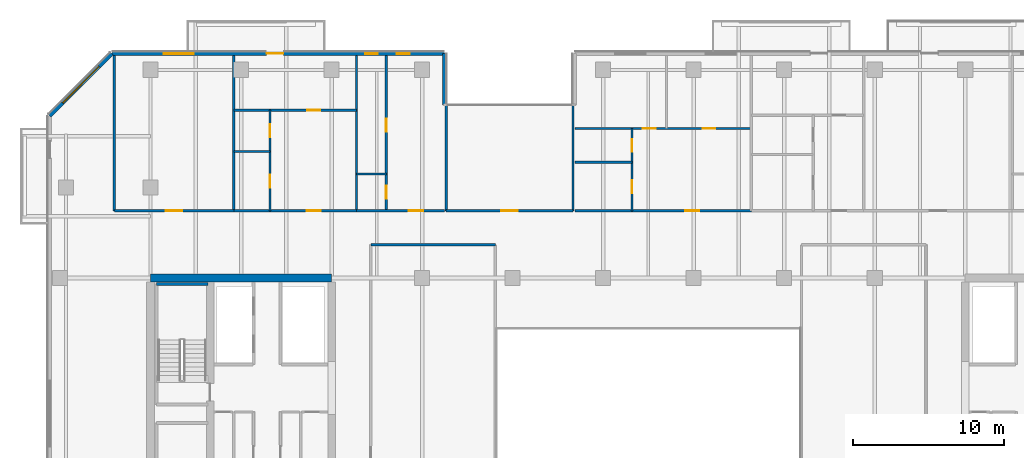
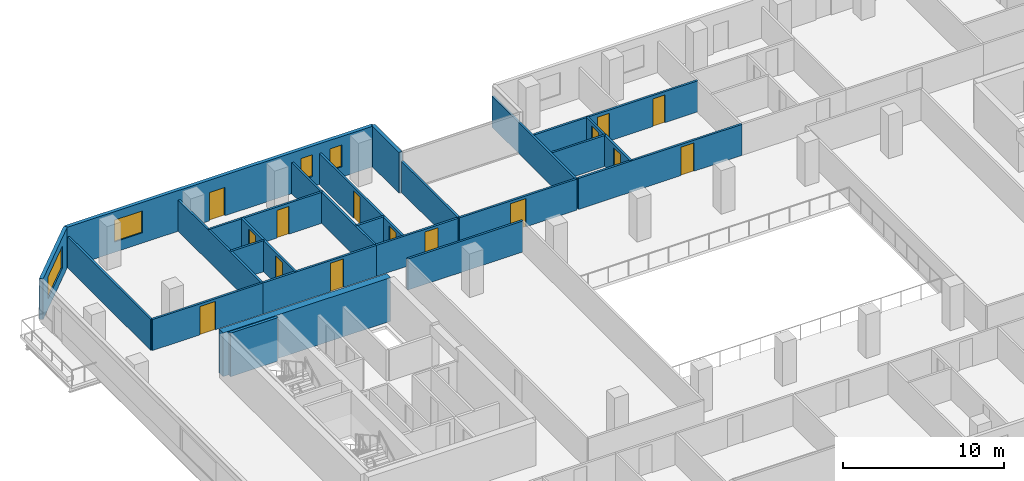
# One storey, part 13 of 23: 24 walls, 15 doors, 4 windows, 19 openings.
"""IFC4 building model written with IfcOpenShell, lengths in metres."""

from ifc_helpers import new_model, si_unit, direction, frame, frame_2d, origin, place, context, subcontext, project, spatial, rectangle, extrude, material, layer, layer_set, type_object, element, fill, save


model = new_model("IFC4")

# Units and contexts
model_context = context("Model", 3, precision=1e-05, world=origin(), true_north=direction((0.0, 1.0)))
body_context = subcontext(model_context, "Body", "Model", "MODEL_VIEW")
ifc_project = project(units=[si_unit("LENGTHUNIT", "METRE"), si_unit("AREAUNIT", "SQUARE_METRE"), si_unit("VOLUMEUNIT", "CUBIC_METRE"), si_unit("PLANEANGLEUNIT", "RADIAN"), si_unit("MASSUNIT", "GRAM", prefix="KILO")], contexts=[model_context])

# Site, building, storey
site_placement = place(None, origin())
site = spatial("IfcSite", under=ifc_project, at=site_placement, CompositionType="ELEMENT")
building_placement = place(site_placement, origin())
building = spatial("IfcBuilding", under=site, at=building_placement, Name="Tanjung Sevakor Pilgrim Tower", CompositionType="ELEMENT")
storey_placement = place(building_placement, frame((0.0, 0.0, 88.77001953125)))
storey = spatial("IfcBuildingStorey", under=building, at=storey_placement, Name="L24", CompositionType="ELEMENT", Elevation=88.77001953125)

# Walls
ifc_material_1 = material(Name="Concrete C60/75", Category="concrete")
ifc_layer_1 = layer(ifc_material_1, 0.5)
ifc_layer_set_1 = layer_set([ifc_layer_1], Name="WALL-CW-500")
wall_type_1 = type_object("IfcWallType", Name="WALL-CW-500", PredefinedType="SHEAR", material=ifc_layer_set_1)
wall_1_placement = place(storey_placement, frame((36.0, 42.60009765625, 0.0), z_axis=(0.0, 0.0, 1.0), x_axis=(-1.0, 0.0, 0.0)))
element("IfcWall", 1, at=wall_1_placement, inside=storey, type_object=wall_type_1, Name="L24 W Core North Shear Wall", PredefinedType="SHEAR", context=body_context, shape_type="SweptSolid", body=[
    extrude(rectangle(XDim=12.0, YDim=0.5, at=frame_2d((6.0, 0.0))), origin(), (0.0, 0.0, 1.0), 3.300048828125),
])
ifc_material_2 = material(Name="Concrete C40/50", Category="concrete")
ifc_layer_2 = layer(ifc_material_2, 0.14990234375)
ifc_layer_set_2 = layer_set([ifc_layer_2], Name="WT-COMP-150")
wall_type_2 = type_object("IfcWallType", Name="WT-COMP-150", PredefinedType="SOLIDWALL", material=ifc_layer_set_2)
wall_2_placement = place(storey_placement, frame((38.60009765625, 44.800048828125, 0.0), z_axis=(0.0, 0.0, 1.0), x_axis=(1.0, 0.0, 0.0)))
element("IfcWall", 2, at=wall_2_placement, inside=storey, type_object=wall_type_2, Name="L24 Partition IW-L24-030", PredefinedType="SOLIDWALL", context=body_context, shape_type="SweptSolid", body=[
    extrude(rectangle(XDim=8.25, YDim=0.14990234375, at=frame_2d((4.125, 0.0))), origin(), (0.0, 0.0, 1.0), 2.35009765625),
])

# Wall, opening, door
wall_3_placement = place(storey_placement, frame((43.60009765625, 47.050048828125, 0.0), z_axis=(0.0, 0.0, 1.0), x_axis=(1.0, 0.0, 0.0)))
wall_3 = element("IfcWall", 3, at=wall_3_placement, inside=storey, type_object=wall_type_2, Name="L24 Partition IW-L24-048", PredefinedType="SOLIDWALL", context=body_context, shape_type="SweptSolid", body=[
    extrude(rectangle(XDim=8.39990234375, YDim=0.14990234375, at=frame_2d((4.199951171875, 0.0))), origin(), (0.0, 0.0, 1.0), 2.35009765625),
])
opening_1_placement = place(wall_3_placement, frame((3.64990234375, 0.0, 0.0)))
opening_1 = element("IfcOpeningElement", 4, at=opening_1_placement, cuts=wall_3, Name="Opening ID-RM2", PredefinedType="OPENING", context=body_context, shape_type="SweptSolid", body=[
    extrude(rectangle(XDim=1.10009765625, YDim=2.14990234375, at=frame_2d((0.550048828125, 1.074951171875))), frame((0.0, 0.0849609375, 0.0), z_axis=(0.0, -1.0, 0.0), x_axis=(1.0, 0.0, 0.0)), (0.0, 0.0, 1.0), 0.169921875),
])
ifc_material_3 = material(Name="Hardwood Timber", Category="wood")
door_type_1 = type_object("IfcDoorType", Name="DT-INT-1100", OperationType="NOTDEFINED", PredefinedType="DOOR", material=ifc_material_3)
door_1_placement = place(opening_1_placement, origin())
door_1 = element("IfcDoor", 5, at=door_1_placement, inside=storey, type_object=door_type_1, Name="L24 North Cleft Seminar Room Door", OperationType="SINGLE_SWING_RIGHT", OverallHeight=2.14990234375, OverallWidth=1.10009765625, PredefinedType="DOOR", context=body_context, shape_type="SweptSolid", body=[
    extrude(rectangle(XDim=1.10009765625, YDim=2.14990234375, at=frame_2d((0.550048828125, 1.074951171875))), frame((0.0, 0.02490234375, 0.0), z_axis=(0.0, -1.0, 0.0), x_axis=(1.0, 0.0, 0.0)), (0.0, 0.0, 1.0), 0.050048828125),
])
fill(opening_1, door_1)

# Walls
for number, where, z_axis, x_axis, name in (
    (6, (43.60009765625, 47.050048828125, 0.0), (0.0, 0.0, 1.0), (0.0, 1.0, 0.0), "L24 Partition IW-L24-049"),
    (7, (52.0, 47.050048828125, 0.0), (0.0, 0.0, 1.0), (0.0, 1.0, 0.0), "L24 Partition IW-L24-050"),
    (8, (21.60009765625, 47.050048828125, 0.0), (0.0, 0.0, 1.0), (0.0, 1.0, 0.0), "L24 Partition IW-L24-083"),
    (9, (29.5185546875, 47.050048828125, 0.0), (0.0, 0.0, 1.0), (0.0, 1.0, 0.0), "L24 Partition IW-L24-084"),
):
    element("IfcWall", number, at=place(storey_placement, frame(where, z_axis=z_axis, x_axis=x_axis)), inside=storey, type_object=wall_type_2, Name=name, PredefinedType="SOLIDWALL", context=body_context, shape_type="SweptSolid", body=[
        extrude(rectangle(XDim=10.300048828125, YDim=0.14990234375, at=frame_2d((5.14990234375, 0.0))), origin(), (0.0, 0.0, 1.0), 2.35009765625),
    ])

# Wall, opening, door
wall_4_placement = place(storey_placement, frame((21.60009765625, 47.050048828125, 0.0), z_axis=(0.0, 0.0, 1.0), x_axis=(1.0, 0.0, 0.0)))
wall_4 = element("IfcWall", 10, at=wall_4_placement, inside=storey, type_object=wall_type_2, Name="L24 Partition IW-L24-085", PredefinedType="SOLIDWALL", context=body_context, shape_type="SweptSolid", body=[
    extrude(rectangle(XDim=7.91845703125, YDim=0.14990234375, at=frame_2d((3.959228515625, 0.0))), origin(), (0.0, 0.0, 1.0), 2.35009765625),
])
opening_2_placement = place(wall_4_placement, frame((3.4091796875, 0.0, 0.0)))
opening_2 = element("IfcOpeningElement", 11, at=opening_2_placement, cuts=wall_4, Name="Opening ID-FD0", PredefinedType="OPENING", context=body_context, shape_type="SweptSolid", body=[
    extrude(rectangle(XDim=1.10009765625, YDim=2.14990234375, at=frame_2d((0.550048828125, 1.074951171875))), frame((0.0, 0.0849609375, 0.0), z_axis=(0.0, -1.0, 0.0), x_axis=(1.0, 0.0, 0.0)), (0.0, 0.0, 1.0), 0.169921875),
])
ifc_material_4 = material(Name="Fire-Rated Steel S355J2", Category="steel")
door_type_2 = type_object("IfcDoorType", Name="DT-FIRE-1100", OperationType="NOTDEFINED", PredefinedType="DOOR", material=ifc_material_4)
door_2_placement = place(opening_2_placement, origin())
door_2 = element("IfcDoor", 12, at=door_2_placement, inside=storey, type_object=door_type_2, Name="Communal Lounge Door", OperationType="SINGLE_SWING_RIGHT", OverallHeight=2.14990234375, OverallWidth=1.10009765625, PredefinedType="DOOR", context=body_context, shape_type="SweptSolid", body=[
    extrude(rectangle(XDim=1.10009765625, YDim=2.14990234375, at=frame_2d((0.550048828125, 1.074951171875))), frame((0.0, 0.02490234375, 0.0), z_axis=(0.0, -1.0, 0.0), x_axis=(1.0, 0.0, 0.0)), (0.0, 0.0, 1.0), 0.050048828125),
])
fill(opening_2, door_2)

# Wall
wall_5_placement = place(storey_placement, frame((37.6455078125, 47.050048828125, 0.0), z_axis=(0.0, 0.0, 1.0), x_axis=(0.0, 1.0, 0.0)))
element("IfcWall", 13, at=wall_5_placement, inside=storey, type_object=wall_type_2, Name="L24 Partition IW-L24-086", PredefinedType="SOLIDWALL", context=body_context, shape_type="SweptSolid", body=[
    extrude(rectangle(XDim=10.300048828125, YDim=0.14990234375, at=frame_2d((5.14990234375, 0.0))), origin(), (0.0, 0.0, 1.0), 2.35009765625),
])

# Wall, opening, door
wall_6_placement = place(storey_placement, frame((29.5185546875, 47.050048828125, 0.0), z_axis=(0.0, 0.0, 1.0), x_axis=(1.0, 0.0, 0.0)))
wall_6 = element("IfcWall", 14, at=wall_6_placement, inside=storey, type_object=wall_type_2, Name="L24 Partition IW-L24-090", PredefinedType="SOLIDWALL", context=body_context, shape_type="SweptSolid", body=[
    extrude(rectangle(XDim=8.126953125, YDim=0.14990234375, at=frame_2d((4.0634765625, 0.0))), origin(), (0.0, 0.0, 1.0), 2.35009765625),
])
opening_3_placement = place(wall_6_placement, frame((4.8291015625, 0.0, 0.0)))
opening_3 = element("IfcOpeningElement", 15, at=opening_3_placement, cuts=wall_6, Name="Opening ID-FD2", PredefinedType="OPENING", context=body_context, shape_type="SweptSolid", body=[
    extrude(rectangle(XDim=0.949951171875, YDim=2.14990234375, at=frame_2d((0.47509765625, 1.074951171875))), frame((0.0, 0.0849609375, 0.0), z_axis=(0.0, -1.0, 0.0), x_axis=(1.0, 0.0, 0.0)), (0.0, 0.0, 1.0), 0.169921875),
])
ifc_material_5 = material(Name="Fire-Rated Timber", Category="wood")
door_type_3 = type_object("IfcDoorType", Name="DT-FIRE-950", OperationType="NOTDEFINED", PredefinedType="DOOR", material=ifc_material_5)
door_3_placement = place(opening_3_placement, origin())
door_3 = element("IfcDoor", 16, at=door_3_placement, inside=storey, type_object=door_type_3, Name="Residence Entrance", OperationType="SINGLE_SWING_RIGHT", OverallHeight=2.14990234375, OverallWidth=0.949951171875, PredefinedType="DOOR", context=body_context, shape_type="SweptSolid", body=[
    extrude(rectangle(XDim=0.949951171875, YDim=2.14990234375, at=frame_2d((0.47509765625, 1.074951171875))), frame((0.0, 0.02490234375, 0.0), z_axis=(0.0, -1.0, 0.0), x_axis=(1.0, 0.0, 0.0)), (0.0, 0.0, 1.0), 0.050048828125),
])
fill(opening_3, door_3)

wall_7_placement = place(storey_placement, frame((37.6455078125, 47.050048828125, 0.0), z_axis=(0.0, 0.0, 1.0), x_axis=(1.0, 0.0, 0.0)))
wall_7 = element("IfcWall", 17, at=wall_7_placement, inside=storey, type_object=wall_type_2, Name="L24 Partition IW-L24-093", PredefinedType="SOLIDWALL", context=body_context, shape_type="SweptSolid", body=[
    extrude(rectangle(XDim=5.83447265625, YDim=0.14990234375, at=frame_2d((2.917236328125, 0.0))), origin(), (0.0, 0.0, 1.0), 2.35009765625),
])
opening_4_placement = place(wall_7_placement, frame((3.47412109375, 0.0, 0.0)))
opening_4 = element("IfcOpeningElement", 18, at=opening_4_placement, cuts=wall_7, Name="Opening ID-FD2", PredefinedType="OPENING", context=body_context, shape_type="SweptSolid", body=[
    extrude(rectangle(XDim=0.949951171875, YDim=2.14990234375, at=frame_2d((0.47509765625, 1.074951171875))), frame((0.0, 0.0849609375, 0.0), z_axis=(0.0, -1.0, 0.0), x_axis=(1.0, 0.0, 0.0)), (0.0, 0.0, 1.0), 0.169921875),
])
door_4_placement = place(opening_4_placement, origin())
door_4 = element("IfcDoor", 19, at=door_4_placement, inside=storey, type_object=door_type_3, Name="Hostel Quad Entrance", OperationType="SINGLE_SWING_LEFT", OverallHeight=2.14990234375, OverallWidth=0.949951171875, PredefinedType="DOOR", context=body_context, shape_type="SweptSolid", body=[
    extrude(rectangle(XDim=0.949951171875, YDim=2.14990234375, at=frame_2d((0.47509765625, 1.074951171875))), frame((0.0, 0.02490234375, 0.0), z_axis=(0.0, -1.0, 0.0), x_axis=(1.0, 0.0, 0.0)), (0.0, 0.0, 1.0), 0.050048828125),
])
fill(opening_4, door_4)

wall_8_placement = place(storey_placement, frame((52.1201171875, 47.050048828125, 0.0), z_axis=(0.0, 0.0, 1.0), x_axis=(1.0, 0.0, 0.0)))
wall_8 = element("IfcWall", 20, at=wall_8_placement, inside=storey, type_object=wall_type_2, Name="L24 Partition IW-L24-100", PredefinedType="SOLIDWALL", context=body_context, shape_type="SweptSolid", body=[
    extrude(rectangle(XDim=11.701171875, YDim=0.14990234375, at=frame_2d((5.8505859375, 0.0))), origin(), (0.0, 0.0, 1.0), 2.35009765625),
])
opening_5_placement = place(wall_8_placement, frame((7.315673828125, 0.0, 0.0)))
opening_5 = element("IfcOpeningElement", 21, at=opening_5_placement, cuts=wall_8, Name="Opening ID-FD2", PredefinedType="OPENING", context=body_context, shape_type="SweptSolid", body=[
    extrude(rectangle(XDim=0.949951171875, YDim=2.14990234375, at=frame_2d((0.47509765625, 1.074951171875))), frame((0.0, 0.0849609375, 0.0), z_axis=(0.0, -1.0, 0.0), x_axis=(1.0, 0.0, 0.0)), (0.0, 0.0, 1.0), 0.169921875),
])
door_5_placement = place(opening_5_placement, origin())
door_5 = element("IfcDoor", 22, at=door_5_placement, inside=storey, type_object=door_type_3, Name="Suite Entrance", OperationType="SINGLE_SWING_RIGHT", OverallHeight=2.14990234375, OverallWidth=0.949951171875, PredefinedType="DOOR", context=body_context, shape_type="SweptSolid", body=[
    extrude(rectangle(XDim=0.949951171875, YDim=2.14990234375, at=frame_2d((0.47509765625, 1.074951171875))), frame((0.0, 0.02490234375, 0.0), z_axis=(0.0, -1.0, 0.0), x_axis=(1.0, 0.0, 0.0)), (0.0, 0.0, 1.0), 0.050048828125),
])
fill(opening_5, door_5)

# Wall
ifc_material_6 = material(Name="Precast concrete C45/55", Category="concrete")
ifc_layer_3 = layer(ifc_material_6, 0.25)
ifc_layer_set_3 = layer_set([ifc_layer_3], Name="WT-EW-STN3")
wall_type_3 = type_object("IfcWallType", Name="WT-EW-STN3", PredefinedType="SOLIDWALL", material=ifc_layer_set_3)
wall_9_placement = place(storey_placement, frame((43.47509765625, 54.074951171875, 0.0), z_axis=(0.0, 0.0, 1.0), x_axis=(0.0, 1.0, 0.0)))
element("IfcWall", 23, at=wall_9_placement, inside=storey, type_object=wall_type_3, Name="L24 MAIN Exterior Wall 12", PredefinedType="SOLIDWALL", context=body_context, shape_type="SweptSolid", body=[
    extrude(rectangle(XDim=3.400146484375, YDim=0.25, at=frame_2d((1.7001953125, 0.0))), origin(), (0.0, 0.0, 1.0), 3.080078125),
])

# Wall, openings, door, windows
wall_10_placement = place(storey_placement, frame((43.47509765625, 57.47509765625, 0.0), z_axis=(0.0, 0.0, 1.0), x_axis=(-1.0, 0.0, 0.0)))
wall_10 = element("IfcWall", 24, at=wall_10_placement, inside=storey, type_object=wall_type_3, Name="L24 MAIN Exterior Wall 13", PredefinedType="SOLIDWALL", context=body_context, shape_type="SweptSolid", body=[
    extrude(rectangle(XDim=22.023193359375, YDim=0.25, at=frame_2d((11.01171875, 0.0))), origin(), (0.0, 0.0, 1.0), 3.080078125),
])
opening_6_placement = place(wall_10_placement, frame((10.675048828125, 0.0, 0.0)))
opening_6 = element("IfcOpeningElement", 25, at=opening_6_placement, cuts=wall_10, Name="Opening ED-BAL-1100", PredefinedType="OPENING", context=body_context, shape_type="SweptSolid", body=[
    extrude(rectangle(XDim=1.10009765625, YDim=2.14990234375, at=frame_2d((0.550048828125, 1.074951171875))), frame((0.0, 0.135009765625, 0.0), z_axis=(0.0, -1.0, 0.0), x_axis=(1.0, 0.0, 0.0)), (0.0, 0.0, 1.0), 0.27001953125),
])
opening_7_placement = place(wall_10_placement, frame((16.595703125, 0.0, 0.780029296875)))
opening_7 = element("IfcOpeningElement", 26, at=opening_7_placement, cuts=wall_10, Name="Opening WN-Z2-1660", PredefinedType="OPENING", context=body_context, shape_type="SweptSolid", body=[
    extrude(rectangle(XDim=2.0, YDim=1.659912109375, at=frame_2d((1.0, 0.830078125))), frame((0.0, 0.135009765625, 0.0), z_axis=(0.0, -1.0, 0.0), x_axis=(1.0, 0.0, 0.0)), (0.0, 0.0, 1.0), 0.27001953125),
])
opening_8_placement = place(wall_10_placement, frame((4.402587890625, 0.0, 0.780029296875)))
opening_8 = element("IfcOpeningElement", 27, at=opening_8_placement, cuts=wall_10, Name="Opening WN-SLM", PredefinedType="OPENING", context=body_context, shape_type="SweptSolid", body=[
    extrude(rectangle(XDim=0.85009765625, YDim=1.64990234375, at=frame_2d((0.425048828125, 0.824951171875))), frame((0.0, 0.135009765625, 0.0), z_axis=(0.0, -1.0, 0.0), x_axis=(1.0, 0.0, 0.0)), (0.0, 0.0, 1.0), 0.27001953125),
])
opening_9_placement = place(wall_10_placement, frame((2.305419921875, 0.0, 0.780029296875)))
opening_9 = element("IfcOpeningElement", 28, at=opening_9_placement, cuts=wall_10, Name="Opening WN-SLM", PredefinedType="OPENING", context=body_context, shape_type="SweptSolid", body=[
    extrude(rectangle(XDim=0.85009765625, YDim=1.64990234375, at=frame_2d((0.425048828125, 0.824951171875))), frame((0.0, 0.135009765625, 0.0), z_axis=(0.0, -1.0, 0.0), x_axis=(1.0, 0.0, 0.0)), (0.0, 0.0, 1.0), 0.27001953125),
])
ifc_material_7 = material(Name="Anodised Aluminium and Laminated Glass", Category="aluminium")
door_type_4 = type_object("IfcDoorType", Name="DTYP-ED-BAL-1100", OperationType="NOTDEFINED", PredefinedType="DOOR", material=ifc_material_7)
door_6_placement = place(opening_6_placement, frame((1.10009765625, 0.0, 0.0), z_axis=(0.0, 0.0, 1.0), x_axis=(-1.0, 0.0, 0.0)))
door_6 = element("IfcDoor", 29, at=door_6_placement, inside=storey, type_object=door_type_4, Name="L24 Balcony Door MAIN-N1", OperationType="SINGLE_SWING_RIGHT", OverallHeight=2.14990234375, OverallWidth=1.10009765625, PredefinedType="DOOR", context=body_context, shape_type="SweptSolid", body=[
    extrude(rectangle(XDim=1.10009765625, YDim=2.14990234375, at=frame_2d((0.550048828125, 1.074951171875))), frame((0.0, 0.02490234375, 0.0), z_axis=(0.0, -1.0, 0.0), x_axis=(1.0, 0.0, 0.0)), (0.0, 0.0, 1.0), 0.050048828125),
])
fill(opening_6, door_6)
ifc_material_8 = material(Name="Thermally Broken Aluminium and Low-E Glass", Category="aluminium")
window_type_1 = type_object("IfcWindowType", Name="WTYP-WN-SLM", PartitioningType="SINGLE_PANEL", PredefinedType="WINDOW", material=ifc_material_8)
window_1_placement = place(opening_8_placement, origin())
window_1 = element("IfcWindow", 30, at=window_1_placement, inside=storey, type_object=window_type_1, Name="L24 Facade Window 02", OverallHeight=1.64990234375, OverallWidth=0.85009765625, PartitioningType="SINGLE_PANEL", PredefinedType="WINDOW", context=body_context, shape_type="SweptSolid", body=[
    extrude(rectangle(XDim=0.85009765625, YDim=1.64990234375, at=frame_2d((0.425048828125, 0.824951171875))), frame((0.0, 0.030029296875, 0.0), z_axis=(0.0, -1.0, 0.0), x_axis=(1.0, 0.0, 0.0)), (0.0, 0.0, 1.0), 0.06005859375),
])
fill(opening_8, window_1)
window_2_placement = place(opening_9_placement, origin())
window_2 = element("IfcWindow", 31, at=window_2_placement, inside=storey, type_object=window_type_1, Name="L24 Facade Window 03", OverallHeight=1.64990234375, OverallWidth=0.85009765625, PartitioningType="SINGLE_PANEL", PredefinedType="WINDOW", context=body_context, shape_type="SweptSolid", body=[
    extrude(rectangle(XDim=0.85009765625, YDim=1.64990234375, at=frame_2d((0.425048828125, 0.824951171875))), frame((0.0, 0.030029296875, 0.0), z_axis=(0.0, -1.0, 0.0), x_axis=(1.0, 0.0, 0.0)), (0.0, 0.0, 1.0), 0.06005859375),
])
fill(opening_9, window_2)
ifc_material_9 = material(Name="Thermally Broken Aluminium and Low-E Glass", Category="aluminium")
window_type_2 = type_object("IfcWindowType", Name="WTYP-WN-Z2-1660", PartitioningType="DOUBLE_PANEL_VERTICAL", PredefinedType="WINDOW", material=ifc_material_9)
window_3_placement = place(opening_7_placement, origin())
window_3 = element("IfcWindow", 32, at=window_3_placement, inside=storey, type_object=window_type_2, Name="L24 Facade Window 01", OverallHeight=1.659912109375, OverallWidth=2.0, PartitioningType="SINGLE_PANEL", PredefinedType="WINDOW", context=body_context, shape_type="SweptSolid", body=[
    extrude(rectangle(XDim=2.0, YDim=1.659912109375, at=frame_2d((1.0, 0.830078125))), frame((0.0, 0.030029296875, 0.0), z_axis=(0.0, -1.0, 0.0), x_axis=(1.0, 0.0, 0.0)), (0.0, 0.0, 1.0), 0.06005859375),
])
fill(opening_7, window_3)

# Wall, opening, window
wall_11_placement = place(storey_placement, frame((21.451904296875, 57.47509765625, 0.0), z_axis=(0.0, 0.0, 1.0), x_axis=(-0.707106781187, -0.707106781187, 0.0)))
wall_11 = element("IfcWall", 33, at=wall_11_placement, inside=storey, type_object=wall_type_3, Name="L24 MAIN Sculpted Corner Wall 13", PredefinedType="SOLIDWALL", context=body_context, shape_type="SweptSolid", body=[
    extrude(rectangle(XDim=5.83642578125, YDim=0.25, at=frame_2d((2.918212890625, 0.0))), origin(), (0.0, 0.0, 1.0), 3.080078125),
])
opening_10_placement = place(wall_11_placement, frame((1.218017578125, 0.0, 0.780029296875)))
opening_10 = element("IfcOpeningElement", 34, at=opening_10_placement, cuts=wall_11, Name="Opening WN-CHM-1660", PredefinedType="OPENING", context=body_context, shape_type="SweptSolid", body=[
    extrude(rectangle(XDim=3.39990234375, YDim=1.659912109375, at=frame_2d((1.699951171875, 0.830078125))), frame((0.0, 0.135009765625, 0.0), z_axis=(0.0, -1.0, 0.0), x_axis=(1.0, 0.0, 0.0)), (0.0, 0.0, 1.0), 0.27001953125),
])
ifc_material_10 = material(Name="Thermally Broken Aluminium and Low-E Glass", Category="aluminium")
window_type_3 = type_object("IfcWindowType", Name="WTYP-WN-CHM-1660", PartitioningType="DOUBLE_PANEL_VERTICAL", PredefinedType="WINDOW", material=ifc_material_10)
window_4_placement = place(opening_10_placement, origin())
window_4 = element("IfcWindow", 35, at=window_4_placement, inside=storey, type_object=window_type_3, Name="L24 Facade Window 01", OverallHeight=1.659912109375, OverallWidth=3.39990234375, PartitioningType="SINGLE_PANEL", PredefinedType="WINDOW", context=body_context, shape_type="SweptSolid", body=[
    extrude(rectangle(XDim=3.39990234375, YDim=1.659912109375, at=frame_2d((1.699951171875, 0.830078125))), frame((0.0, 0.030029296875, 0.0), z_axis=(0.0, -1.0, 0.0), x_axis=(1.0, 0.0, 0.0)), (0.0, 0.0, 1.0), 0.06005859375),
])
fill(opening_10, window_4)

# Walls
ifc_material_11 = material(Name="Concrete C40/50", Category="concrete")
ifc_layer_4 = layer(ifc_material_11, 0.199951171875)
ifc_layer_set_4 = layer_set([ifc_layer_4], Name="WT-FIRE-200")
wall_type_4 = type_object("IfcWallType", Name="WT-FIRE-200", PredefinedType="SOLIDWALL", material=ifc_layer_set_4)
wall_12_placement = place(storey_placement, frame((27.800048828125, 42.199951171875, 0.0), z_axis=(0.0, 0.0, 1.0), x_axis=(-1.0, 0.0, 0.0)))
element("IfcWall", 36, at=wall_12_placement, inside=storey, type_object=wall_type_4, Name="L24 TS-W2 Shaft Wall 2", PredefinedType="SOLIDWALL", context=body_context, shape_type="SweptSolid", body=[
    extrude(rectangle(XDim=3.400146484375, YDim=0.199951171875, at=frame_2d((1.7001953125, 0.0))), origin(), (0.0, 0.0, 1.0), 3.300048828125),
])
ifc_material_12 = material(Name="Gypsum Board Partition", Category="gypsum board")
ifc_layer_5 = layer(ifc_material_12, 0.14990234375)
ifc_layer_set_5 = layer_set([ifc_layer_5], Name="WT-PART-150")
wall_type_5 = type_object("IfcWallType", Name="WT-PART-150", PredefinedType="PARTITIONING", material=ifc_layer_set_5)
wall_13_placement = place(storey_placement, frame((29.5185546875, 50.9853515625, 0.0), z_axis=(0.0, 0.0, 1.0), x_axis=(1.0, 0.0, 0.0)))
element("IfcWall", 37, at=wall_13_placement, inside=storey, type_object=wall_type_5, Name="L24 Partition IW-L24-087", PredefinedType="PARTITIONING", context=body_context, shape_type="SweptSolid", body=[
    extrude(rectangle(XDim=2.4013671875, YDim=0.14990234375, at=frame_2d((1.20068359375, 0.0))), origin(), (0.0, 0.0, 1.0), 2.35009765625),
])

# Wall, openings, doors
wall_14_placement = place(storey_placement, frame((31.919921875, 47.050048828125, 0.0), z_axis=(0.0, 0.0, 1.0), x_axis=(0.0, 1.0, 0.0)))
wall_14 = element("IfcWall", 38, at=wall_14_placement, inside=storey, type_object=wall_type_5, Name="L24 Partition IW-L24-088", PredefinedType="PARTITIONING", context=body_context, shape_type="SweptSolid", body=[
    extrude(rectangle(XDim=6.670166015625, YDim=0.14990234375, at=frame_2d((3.3349609375, 0.0))), origin(), (0.0, 0.0, 1.0), 2.35009765625),
])
opening_11_placement = place(wall_14_placement, frame((1.542724609375, 0.0, 0.0)))
opening_11 = element("IfcOpeningElement", 39, at=opening_11_placement, cuts=wall_14, Name="Opening ID-WC1", PredefinedType="OPENING", context=body_context, shape_type="SweptSolid", body=[
    extrude(rectangle(XDim=0.85009765625, YDim=2.10009765625, at=frame_2d((0.425048828125, 1.050048828125))), frame((0.0, 0.0849609375, 0.0), z_axis=(0.0, -1.0, 0.0), x_axis=(1.0, 0.0, 0.0)), (0.0, 0.0, 1.0), 0.169921875),
])
opening_12_placement = place(wall_14_placement, frame((4.877685546875, 0.0, 0.0)))
opening_12 = element("IfcOpeningElement", 40, at=opening_12_placement, cuts=wall_14, Name="Opening ID-WC1", PredefinedType="OPENING", context=body_context, shape_type="SweptSolid", body=[
    extrude(rectangle(XDim=0.85009765625, YDim=2.10009765625, at=frame_2d((0.425048828125, 1.050048828125))), frame((0.0, 0.0849609375, 0.0), z_axis=(0.0, -1.0, 0.0), x_axis=(1.0, 0.0, 0.0)), (0.0, 0.0, 1.0), 0.169921875),
])
ifc_material_13 = material(Name="Moisture-Resistant Timber", Category="wood")
door_type_5 = type_object("IfcDoorType", Name="DT-INT-850", OperationType="NOTDEFINED", PredefinedType="DOOR", material=ifc_material_13)
door_7_placement = place(opening_11_placement, origin())
door_7 = element("IfcDoor", 41, at=door_7_placement, inside=storey, type_object=door_type_5, Name="Residence Kitchenette Door", OperationType="SINGLE_SWING_LEFT", OverallHeight=2.10009765625, OverallWidth=0.85009765625, PredefinedType="DOOR", context=body_context, shape_type="SweptSolid", body=[
    extrude(rectangle(XDim=0.85009765625, YDim=2.10009765625, at=frame_2d((0.425048828125, 1.050048828125))), frame((0.0, 0.02490234375, 0.0), z_axis=(0.0, -1.0, 0.0), x_axis=(1.0, 0.0, 0.0)), (0.0, 0.0, 1.0), 0.050048828125),
])
fill(opening_11, door_7)
door_8_placement = place(opening_12_placement, origin())
door_8 = element("IfcDoor", 42, at=door_8_placement, inside=storey, type_object=door_type_5, Name="Residence Bathroom Door", OperationType="SINGLE_SWING_RIGHT", OverallHeight=2.10009765625, OverallWidth=0.85009765625, PredefinedType="DOOR", context=body_context, shape_type="SweptSolid", body=[
    extrude(rectangle(XDim=0.85009765625, YDim=2.10009765625, at=frame_2d((0.425048828125, 1.050048828125))), frame((0.0, 0.02490234375, 0.0), z_axis=(0.0, -1.0, 0.0), x_axis=(1.0, 0.0, 0.0)), (0.0, 0.0, 1.0), 0.050048828125),
])
fill(opening_12, door_8)

# Wall, opening, door
wall_15_placement = place(storey_placement, frame((29.5185546875, 53.72021484375, 0.0), z_axis=(0.0, 0.0, 1.0), x_axis=(1.0, 0.0, 0.0)))
wall_15 = element("IfcWall", 43, at=wall_15_placement, inside=storey, type_object=wall_type_5, Name="L24 Partition IW-L24-089", PredefinedType="PARTITIONING", context=body_context, shape_type="SweptSolid", body=[
    extrude(rectangle(XDim=8.126953125, YDim=0.14990234375, at=frame_2d((4.0634765625, 0.0))), origin(), (0.0, 0.0, 1.0), 2.35009765625),
])
opening_13_placement = place(wall_15_placement, frame((4.879150390625, 0.0, 0.0)))
opening_13 = element("IfcOpeningElement", 44, at=opening_13_placement, cuts=wall_15, Name="Opening ID-WC1", PredefinedType="OPENING", context=body_context, shape_type="SweptSolid", body=[
    extrude(rectangle(XDim=0.85009765625, YDim=2.10009765625, at=frame_2d((0.425048828125, 1.050048828125))), frame((0.0, 0.0849609375, 0.0), z_axis=(0.0, -1.0, 0.0), x_axis=(1.0, 0.0, 0.0)), (0.0, 0.0, 1.0), 0.169921875),
])
door_9_placement = place(opening_13_placement, origin())
door_9 = element("IfcDoor", 45, at=door_9_placement, inside=storey, type_object=door_type_5, Name="Residence Bedroom Door", OperationType="SINGLE_SWING_LEFT", OverallHeight=2.10009765625, OverallWidth=0.85009765625, PredefinedType="DOOR", context=body_context, shape_type="SweptSolid", body=[
    extrude(rectangle(XDim=0.85009765625, YDim=2.10009765625, at=frame_2d((0.425048828125, 1.050048828125))), frame((0.0, 0.02490234375, 0.0), z_axis=(0.0, -1.0, 0.0), x_axis=(1.0, 0.0, 0.0)), (0.0, 0.0, 1.0), 0.050048828125),
])
fill(opening_13, door_9)

# Wall
wall_16_placement = place(storey_placement, frame((37.6455078125, 49.5, 0.0), z_axis=(0.0, 0.0, 1.0), x_axis=(1.0, 0.0, 0.0)))
element("IfcWall", 46, at=wall_16_placement, inside=storey, type_object=wall_type_5, Name="L24 Partition IW-L24-091", PredefinedType="PARTITIONING", context=body_context, shape_type="SweptSolid", body=[
    extrude(rectangle(XDim=1.983642578125, YDim=0.14990234375, at=frame_2d((0.99169921875, 0.0))), origin(), (0.0, 0.0, 1.0), 2.35009765625),
])

# Wall, openings, doors
wall_17_placement = place(storey_placement, frame((39.629150390625, 47.050048828125, 0.0), z_axis=(0.0, 0.0, 1.0), x_axis=(0.0, 1.0, 0.0)))
wall_17 = element("IfcWall", 47, at=wall_17_placement, inside=storey, type_object=wall_type_5, Name="L24 Partition IW-L24-092", PredefinedType="PARTITIONING", context=body_context, shape_type="SweptSolid", body=[
    extrude(rectangle(XDim=10.300048828125, YDim=0.14990234375, at=frame_2d((5.14990234375, 0.0))), origin(), (0.0, 0.0, 1.0), 2.35009765625),
])
opening_14_placement = place(wall_17_placement, frame((0.800048828125, 0.0, 0.0)))
opening_14 = element("IfcOpeningElement", 48, at=opening_14_placement, cuts=wall_17, Name="Opening ID-WC1", PredefinedType="OPENING", context=body_context, shape_type="SweptSolid", body=[
    extrude(rectangle(XDim=0.85009765625, YDim=2.10009765625, at=frame_2d((0.425048828125, 1.050048828125))), frame((0.0, 0.0849609375, 0.0), z_axis=(0.0, -1.0, 0.0), x_axis=(1.0, 0.0, 0.0)), (0.0, 0.0, 1.0), 0.169921875),
])
opening_15_placement = place(wall_17_placement, frame((5.25, 0.0, 0.0)))
opening_15 = element("IfcOpeningElement", 49, at=opening_15_placement, cuts=wall_17, Name="Opening ID-WC1", PredefinedType="OPENING", context=body_context, shape_type="SweptSolid", body=[
    extrude(rectangle(XDim=0.85009765625, YDim=2.10009765625, at=frame_2d((0.425048828125, 1.050048828125))), frame((0.0, 0.0849609375, 0.0), z_axis=(0.0, -1.0, 0.0), x_axis=(1.0, 0.0, 0.0)), (0.0, 0.0, 1.0), 0.169921875),
])
door_10_placement = place(opening_14_placement, origin())
door_10 = element("IfcDoor", 50, at=door_10_placement, inside=storey, type_object=door_type_5, Name="Bathroom Door", OperationType="SINGLE_SWING_LEFT", OverallHeight=2.10009765625, OverallWidth=0.85009765625, PredefinedType="DOOR", context=body_context, shape_type="SweptSolid", body=[
    extrude(rectangle(XDim=0.85009765625, YDim=2.10009765625, at=frame_2d((0.425048828125, 1.050048828125))), frame((0.0, 0.02490234375, 0.0), z_axis=(0.0, -1.0, 0.0), x_axis=(1.0, 0.0, 0.0)), (0.0, 0.0, 1.0), 0.050048828125),
])
fill(opening_14, door_10)
door_11_placement = place(opening_15_placement, origin())
door_11 = element("IfcDoor", 51, at=door_11_placement, inside=storey, type_object=door_type_5, Name="Study Nook Door", OperationType="SINGLE_SWING_RIGHT", OverallHeight=2.10009765625, OverallWidth=0.85009765625, PredefinedType="DOOR", context=body_context, shape_type="SweptSolid", body=[
    extrude(rectangle(XDim=0.85009765625, YDim=2.10009765625, at=frame_2d((0.425048828125, 1.050048828125))), frame((0.0, 0.02490234375, 0.0), z_axis=(0.0, -1.0, 0.0), x_axis=(1.0, 0.0, 0.0)), (0.0, 0.0, 1.0), 0.050048828125),
])
fill(opening_15, door_11)

# Wall
wall_18_placement = place(storey_placement, frame((52.1201171875, 50.2666015625, 0.0), z_axis=(0.0, 0.0, 1.0), x_axis=(1.0, 0.0, 0.0)))
element("IfcWall", 52, at=wall_18_placement, inside=storey, type_object=wall_type_5, Name="L24 Partition IW-L24-096", PredefinedType="PARTITIONING", context=body_context, shape_type="SweptSolid", body=[
    extrude(rectangle(XDim=3.7998046875, YDim=0.14990234375, at=frame_2d((1.89990234375, 0.0))), origin(), (0.0, 0.0, 1.0), 2.35009765625),
])

# Wall, openings, doors
wall_19_placement = place(storey_placement, frame((55.919921875, 47.050048828125, 0.0), z_axis=(0.0, 0.0, 1.0), x_axis=(0.0, 1.0, 0.0)))
wall_19 = element("IfcWall", 53, at=wall_19_placement, inside=storey, type_object=wall_type_5, Name="L24 Partition IW-L24-097", PredefinedType="PARTITIONING", context=body_context, shape_type="SweptSolid", body=[
    extrude(rectangle(XDim=5.45166015625, YDim=0.14990234375, at=frame_2d((2.725830078125, 0.0))), origin(), (0.0, 0.0, 1.0), 2.35009765625),
])
opening_16_placement = place(wall_19_placement, frame((1.183349609375, 0.0, 0.0)))
opening_16 = element("IfcOpeningElement", 54, at=opening_16_placement, cuts=wall_19, Name="Opening ID-WC1", PredefinedType="OPENING", context=body_context, shape_type="SweptSolid", body=[
    extrude(rectangle(XDim=0.85009765625, YDim=2.10009765625, at=frame_2d((0.425048828125, 1.050048828125))), frame((0.0, 0.0849609375, 0.0), z_axis=(0.0, -1.0, 0.0), x_axis=(1.0, 0.0, 0.0)), (0.0, 0.0, 1.0), 0.169921875),
])
opening_17_placement = place(wall_19_placement, frame((3.9091796875, 0.0, 0.0)))
opening_17 = element("IfcOpeningElement", 55, at=opening_17_placement, cuts=wall_19, Name="Opening ID-WC1", PredefinedType="OPENING", context=body_context, shape_type="SweptSolid", body=[
    extrude(rectangle(XDim=0.85009765625, YDim=2.10009765625, at=frame_2d((0.425048828125, 1.050048828125))), frame((0.0, 0.0849609375, 0.0), z_axis=(0.0, -1.0, 0.0), x_axis=(1.0, 0.0, 0.0)), (0.0, 0.0, 1.0), 0.169921875),
])
door_12_placement = place(opening_16_placement, origin())
door_12 = element("IfcDoor", 56, at=door_12_placement, inside=storey, type_object=door_type_5, Name="Suite Kitchenette Door", OperationType="SINGLE_SWING_RIGHT", OverallHeight=2.10009765625, OverallWidth=0.85009765625, PredefinedType="DOOR", context=body_context, shape_type="SweptSolid", body=[
    extrude(rectangle(XDim=0.85009765625, YDim=2.10009765625, at=frame_2d((0.425048828125, 1.050048828125))), frame((0.0, 0.02490234375, 0.0), z_axis=(0.0, -1.0, 0.0), x_axis=(1.0, 0.0, 0.0)), (0.0, 0.0, 1.0), 0.050048828125),
])
fill(opening_16, door_12)
door_13_placement = place(opening_17_placement, origin())
door_13 = element("IfcDoor", 57, at=door_13_placement, inside=storey, type_object=door_type_5, Name="Suite Bathroom Door", OperationType="SINGLE_SWING_LEFT", OverallHeight=2.10009765625, OverallWidth=0.85009765625, PredefinedType="DOOR", context=body_context, shape_type="SweptSolid", body=[
    extrude(rectangle(XDim=0.85009765625, YDim=2.10009765625, at=frame_2d((0.425048828125, 1.050048828125))), frame((0.0, 0.02490234375, 0.0), z_axis=(0.0, -1.0, 0.0), x_axis=(1.0, 0.0, 0.0)), (0.0, 0.0, 1.0), 0.050048828125),
])
fill(opening_17, door_13)

wall_20_placement = place(storey_placement, frame((52.1201171875, 52.501708984375, 0.0), z_axis=(0.0, 0.0, 1.0), x_axis=(1.0, 0.0, 0.0)))
wall_20 = element("IfcWall", 58, at=wall_20_placement, inside=storey, type_object=wall_type_5, Name="L24 Partition IW-L24-099", PredefinedType="PARTITIONING", context=body_context, shape_type="SweptSolid", body=[
    extrude(rectangle(XDim=11.701171875, YDim=0.14990234375, at=frame_2d((5.8505859375, 0.0))), origin(), (0.0, 0.0, 1.0), 2.35009765625),
])
opening_18_placement = place(wall_20_placement, frame((4.517333984375, 0.0, 0.0)))
opening_18 = element("IfcOpeningElement", 59, at=opening_18_placement, cuts=wall_20, Name="Opening ID-WC1", PredefinedType="OPENING", context=body_context, shape_type="SweptSolid", body=[
    extrude(rectangle(XDim=0.85009765625, YDim=2.10009765625, at=frame_2d((0.425048828125, 1.050048828125))), frame((0.0, 0.0849609375, 0.0), z_axis=(0.0, -1.0, 0.0), x_axis=(1.0, 0.0, 0.0)), (0.0, 0.0, 1.0), 0.169921875),
])
opening_19_placement = place(wall_20_placement, frame((8.468017578125, 0.0, 0.0)))
opening_19 = element("IfcOpeningElement", 60, at=opening_19_placement, cuts=wall_20, Name="Opening ID-WC1", PredefinedType="OPENING", context=body_context, shape_type="SweptSolid", body=[
    extrude(rectangle(XDim=0.85009765625, YDim=2.10009765625, at=frame_2d((0.425048828125, 1.050048828125))), frame((0.0, 0.0849609375, 0.0), z_axis=(0.0, -1.0, 0.0), x_axis=(1.0, 0.0, 0.0)), (0.0, 0.0, 1.0), 0.169921875),
])
door_14_placement = place(opening_18_placement, origin())
door_14 = element("IfcDoor", 61, at=door_14_placement, inside=storey, type_object=door_type_5, Name="Suite Bedroom 1 Door", OperationType="SINGLE_SWING_RIGHT", OverallHeight=2.10009765625, OverallWidth=0.85009765625, PredefinedType="DOOR", context=body_context, shape_type="SweptSolid", body=[
    extrude(rectangle(XDim=0.85009765625, YDim=2.10009765625, at=frame_2d((0.425048828125, 1.050048828125))), frame((0.0, 0.02490234375, 0.0), z_axis=(0.0, -1.0, 0.0), x_axis=(1.0, 0.0, 0.0)), (0.0, 0.0, 1.0), 0.050048828125),
])
fill(opening_18, door_14)
door_15_placement = place(opening_19_placement, origin())
door_15 = element("IfcDoor", 62, at=door_15_placement, inside=storey, type_object=door_type_5, Name="Suite Bedroom 2 Door", OperationType="SINGLE_SWING_LEFT", OverallHeight=2.10009765625, OverallWidth=0.85009765625, PredefinedType="DOOR", context=body_context, shape_type="SweptSolid", body=[
    extrude(rectangle(XDim=0.85009765625, YDim=2.10009765625, at=frame_2d((0.425048828125, 1.050048828125))), frame((0.0, 0.02490234375, 0.0), z_axis=(0.0, -1.0, 0.0), x_axis=(1.0, 0.0, 0.0)), (0.0, 0.0, 1.0), 0.050048828125),
])
fill(opening_19, door_15)

save(model, "model.ifc")
